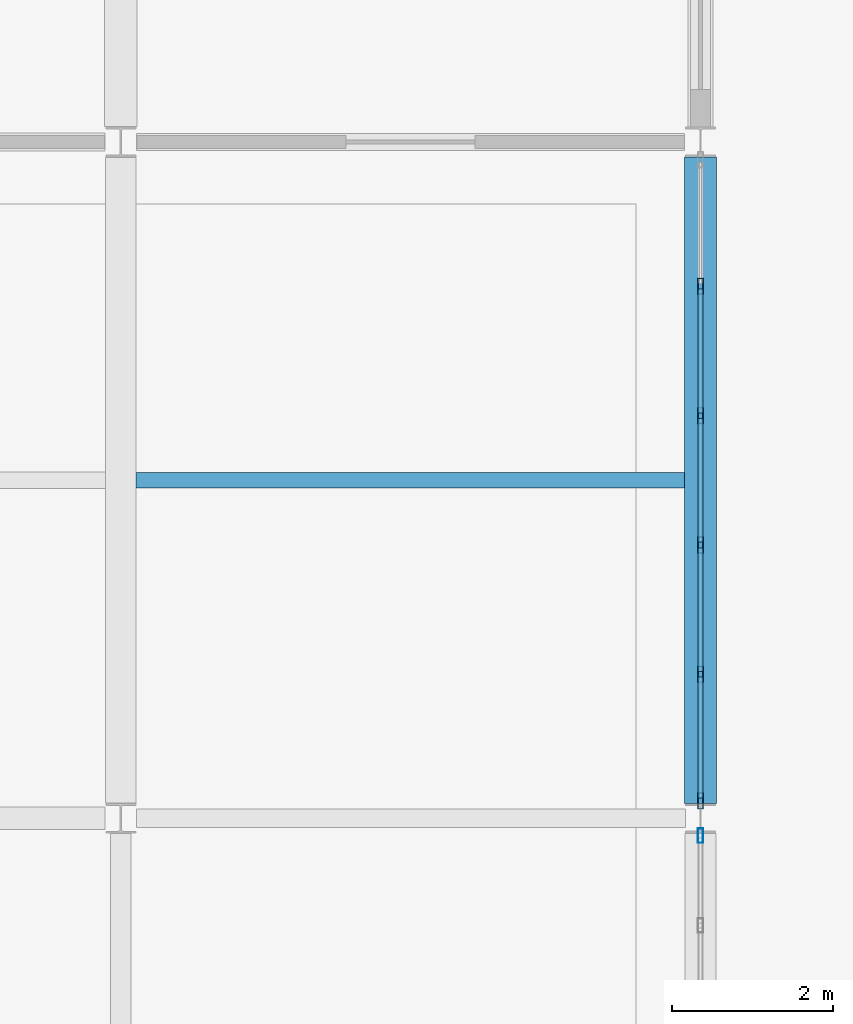
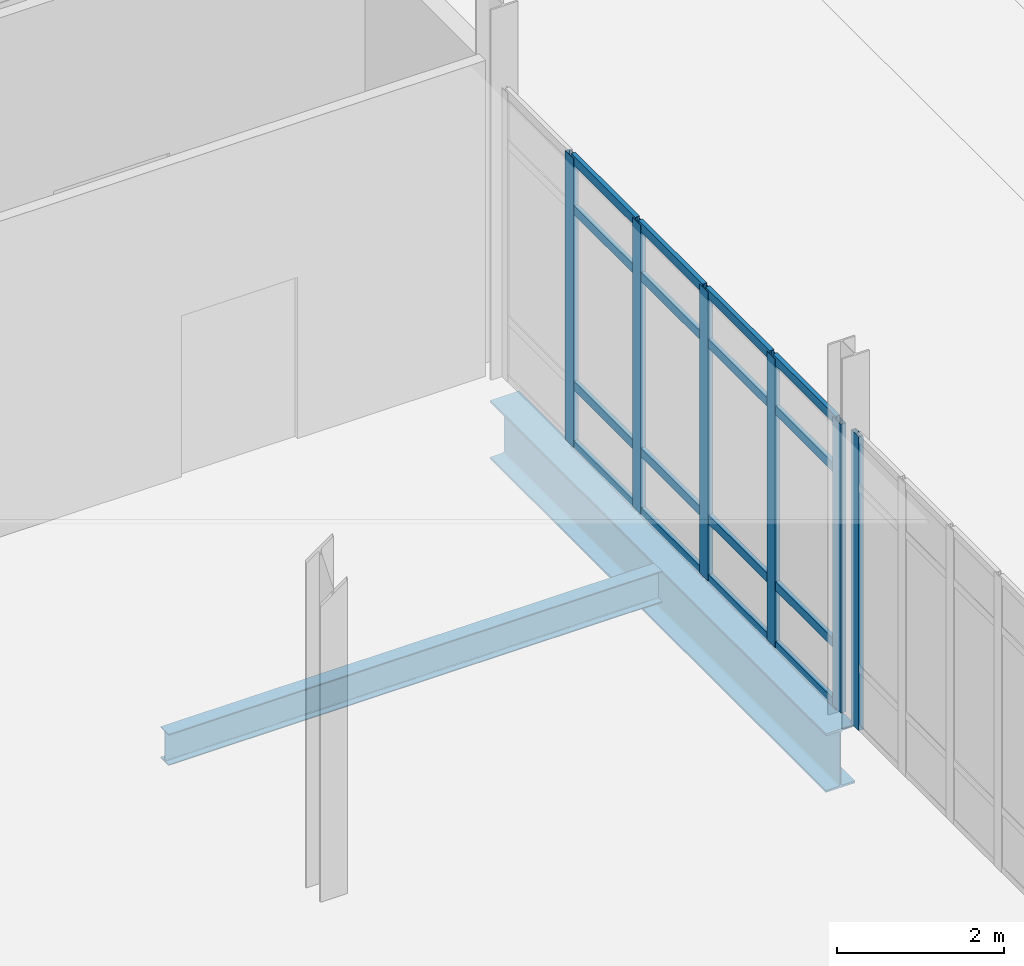
# One storey, part 124 of 229: 22 members, 2 beams, 2 elements without a shape of their own.
"""IFC4 building model written with IfcOpenShell, lengths in metres."""

from ifc_helpers import new_model, si_unit, direction, frame, origin, origin_2d, place, context, subcontext, project, spatial, hollow_rectangle, i_section, extrude, material, layer, layer_set, material_profile, profile_set, type_object, element, aggregate, save


model = new_model("IFC4")

# Units and contexts
model_context = context("Model", 3, precision=1e-05, world=origin(), true_north=direction((0.0, 1.0)))
body_context = subcontext(model_context, "Body", "Model", "MODEL_VIEW")
ifc_project = project(units=[si_unit("LENGTHUNIT", "METRE"), si_unit("AREAUNIT", "SQUARE_METRE"), si_unit("VOLUMEUNIT", "CUBIC_METRE"), si_unit("PLANEANGLEUNIT", "RADIAN"), si_unit("MASSUNIT", "GRAM", prefix="KILO")], contexts=[model_context])

# Site, building, storey
site_placement = place(None, origin())
site = spatial("IfcSite", under=ifc_project, at=site_placement, CompositionType="ELEMENT")
building_placement = place(site_placement, origin())
building = spatial("IfcBuilding", under=site, at=building_placement, Name="Calvrana Isthmian Art Gallery", CompositionType="ELEMENT")
storey_placement = place(building_placement, origin())
storey = spatial("IfcBuildingStorey", under=building, at=storey_placement, Name="L00", CompositionType="ELEMENT", Elevation=0.0)

# Beams
ifc_material_1 = material(Name="Steel ASTM A992 Gr 50", Category="steel")
ifc_material_profile_1 = material_profile(ifc_material_1, i_section(OverallWidth=0.40087890625, OverallDepth=0.85595703125, WebThickness=0.018310546875, FlangeThickness=0.029296875, FilletRadius=0.02587890625, at=origin_2d()), Name="W33X201")
ifc_profile_set_1 = profile_set([ifc_material_profile_1], Name="Steel ASTM A992 Gr 50")
beam_type_1 = type_object("IfcBeamType", Name="BM-G-W33X201", PredefinedType="BEAM", material=ifc_profile_set_1)
beam_1_placement = place(storey_placement, frame((156.0, 30.1865234375, -0.712890625), z_axis=(0.0, 1.0, 0.0), x_axis=(-1.0, 0.0, 0.0)))
element("IfcBeam", 1, at=beam_1_placement, inside=storey, type_object=beam_type_1, Name="Girder Y L00 21/E-F", PredefinedType="BEAM", context=body_context, shape_type="SweptSolid", body=[
    extrude(i_section(OverallWidth=0.40087890625, OverallDepth=0.85595703125, WebThickness=0.018310546875, FlangeThickness=0.029296875, FilletRadius=0.02587890625, at=origin_2d()), origin(), (0.0, 0.0, 1.0), 8.025390625),
])
ifc_material_profile_2 = material_profile(ifc_material_1, i_section(OverallWidth=0.19091796875, OverallDepth=0.45703125, WebThickness=0.009033203125, FlangeThickness=0.014404296875, FilletRadius=0.02001953125, at=origin_2d()), Name="W18X50")
ifc_profile_set_2 = profile_set([ifc_material_profile_2], Name="Steel ASTM A992 Gr 50")
beam_type_2 = type_object("IfcBeamType", Name="BM-J-W18X50", PredefinedType="JOIST", material=ifc_profile_set_2)
beam_2_placement = place(storey_placement, frame((148.990478515625, 34.199951171875, -0.513427734375), z_axis=(1.0, 0.0, 0.0), x_axis=(0.0, 1.0, 0.0)))
element("IfcBeam", 2, at=beam_2_placement, inside=storey, type_object=beam_type_2, Name="Composite joist L00 bay 19-04", PredefinedType="JOIST", context=body_context, shape_type="SweptSolid", body=[
    extrude(i_section(OverallWidth=0.19091796875, OverallDepth=0.45703125, WebThickness=0.009033203125, FlangeThickness=0.014404296875, FilletRadius=0.02001953125, at=origin_2d()), origin(), (0.0, 0.0, 1.0), 6.80908203125),
])

# Curtain wall, member
ifc_material_2 = material(Name="Anodized bronze aluminium 6063-T6", Category="aluminium")
ifc_layer_1 = layer(ifc_material_2, 0.179931640625, Name="Anodized bronze aluminium 6063-T6")
ifc_layer_set_1 = layer_set([ifc_layer_1], Name="Anodized bronze aluminium 6063-T6")
curtain_wall_type_1 = type_object("IfcCurtainWallType", Name="CW-STICK-080X43", PredefinedType="NOTDEFINED", material=ifc_layer_set_1)
curtain_wall_1_placement = place(storey_placement, origin())
curtain_wall_1 = element("IfcCurtainWall", 3, at=curtain_wall_1_placement, inside=storey, type_object=curtain_wall_type_1, Name="Curtain wall CW-080", PredefinedType="NOTDEFINED")
ifc_material_profile_3 = material_profile(ifc_material_2, hollow_rectangle(XDim=0.06494140625, YDim=0.179931640625, WallThickness=0.00439453125, at=origin_2d()), Name="CWM65X180")
ifc_profile_set_3 = profile_set([ifc_material_profile_3], Name="Anodized bronze aluminium 6063-T6")
member_type_1 = type_object("IfcMemberType", Name="CWM-CWM65X180", PredefinedType="MULLION", material=ifc_profile_set_3)
member_1_placement = place(storey_placement, frame((156.0, 29.785888671875, 0.0), z_axis=(0.0, 0.0, 1.0), x_axis=(1.0, 0.0, 0.0)))
member_1 = element("IfcMember", 4, at=member_1_placement, type_object=member_type_1, Name="CW-080 mullion 1", PredefinedType="MULLION", context=body_context, shape_type="SweptSolid", body=[
    extrude(hollow_rectangle(XDim=0.06494140625, YDim=0.179931640625, WallThickness=0.00439453125, at=origin_2d()), origin(), (0.0, 0.0, 1.0), 4.283935546875),
])
aggregate(curtain_wall_1, [member_1])

# Curtain wall, members
ifc_layer_2 = layer(ifc_material_2, 0.179931640625, Name="Anodized bronze aluminium 6063-T6")
ifc_layer_set_2 = layer_set([ifc_layer_2], Name="Anodized bronze aluminium 6063-T6")
curtain_wall_type_2 = type_object("IfcCurtainWallType", Name="CW-UNIT-080X42", PredefinedType="USERDEFINED", material=ifc_layer_set_2)
curtain_wall_2_placement = place(storey_placement, origin())
curtain_wall_2 = element("IfcCurtainWall", 5, at=curtain_wall_2_placement, inside=storey, type_object=curtain_wall_type_2, Name="Curtain wall CW-081", ObjectType="UNITISED CURTAIN WALL", PredefinedType="USERDEFINED")
ifc_material_profile_4 = material_profile(ifc_material_2, hollow_rectangle(XDim=0.070068359375, YDim=0.199951171875, WallThickness=0.0048828125, at=origin_2d()), Name="CWM70X200")
ifc_profile_set_4 = profile_set([ifc_material_profile_4], Name="Anodized bronze aluminium 6063-T6")
member_type_2 = type_object("IfcMemberType", Name="CWM-CWM70X200", PredefinedType="MULLION", material=ifc_profile_set_4)
member_2_placement = place(storey_placement, frame((156.0, 36.609130859375, 0.0), z_axis=(0.0, 0.0, 1.0), x_axis=(1.0, 0.0, 0.0)))
member_2 = element("IfcMember", 6, at=member_2_placement, type_object=member_type_2, Name="CW-081 mullion 2", PredefinedType="MULLION", context=body_context, shape_type="SweptSolid", body=[
    extrude(hollow_rectangle(XDim=0.070068359375, YDim=0.199951171875, WallThickness=0.0048828125, at=origin_2d()), origin(), (0.0, 0.0, 1.0), 4.212890625),
])
member_3_placement = place(storey_placement, frame((156.0, 35.002197265625, 0.0), z_axis=(0.0, 0.0, 1.0), x_axis=(1.0, 0.0, 0.0)))
member_3 = element("IfcMember", 7, at=member_3_placement, type_object=member_type_2, Name="CW-081 mullion 3", PredefinedType="MULLION", context=body_context, shape_type="SweptSolid", body=[
    extrude(hollow_rectangle(XDim=0.070068359375, YDim=0.199951171875, WallThickness=0.0048828125, at=origin_2d()), origin(), (0.0, 0.0, 1.0), 4.212890625),
])
member_4_placement = place(storey_placement, frame((156.0, 33.395263671875, 0.0), z_axis=(0.0, 0.0, 1.0), x_axis=(1.0, 0.0, 0.0)))
member_4 = element("IfcMember", 8, at=member_4_placement, type_object=member_type_2, Name="CW-081 mullion 4", PredefinedType="MULLION", context=body_context, shape_type="SweptSolid", body=[
    extrude(hollow_rectangle(XDim=0.070068359375, YDim=0.199951171875, WallThickness=0.0048828125, at=origin_2d()), origin(), (0.0, 0.0, 1.0), 4.212890625),
])
member_5_placement = place(storey_placement, frame((156.0, 31.788330078125, 0.0), z_axis=(0.0, 0.0, 1.0), x_axis=(1.0, 0.0, 0.0)))
member_5 = element("IfcMember", 9, at=member_5_placement, type_object=member_type_2, Name="CW-081 mullion 5", PredefinedType="MULLION", context=body_context, shape_type="SweptSolid", body=[
    extrude(hollow_rectangle(XDim=0.070068359375, YDim=0.199951171875, WallThickness=0.0048828125, at=origin_2d()), origin(), (0.0, 0.0, 1.0), 4.212890625),
])
member_6_placement = place(storey_placement, frame((156.0, 30.216552734375, 0.0), z_axis=(0.0, 0.0, 1.0), x_axis=(1.0, 0.0, 0.0)))
member_6 = element("IfcMember", 10, at=member_6_placement, type_object=member_type_2, Name="CW-081 mullion 6", PredefinedType="MULLION", context=body_context, shape_type="SweptSolid", body=[
    extrude(hollow_rectangle(XDim=0.070068359375, YDim=0.199951171875, WallThickness=0.0048828125, at=origin_2d()), origin(), (0.0, 0.0, 1.0), 4.212890625),
])
ifc_material_profile_5 = material_profile(ifc_material_2, hollow_rectangle(XDim=0.06005859375, YDim=0.1298828125, WallThickness=0.00390625, at=origin_2d()), Name="CWT60X130")
ifc_profile_set_5 = profile_set([ifc_material_profile_5], Name="Anodized bronze aluminium 6063-T6")
member_type_3 = type_object("IfcMemberType", Name="CWT-CWT60X130", PredefinedType="USERDEFINED", material=ifc_profile_set_5)
member_7_placement = place(storey_placement, frame((156.0, 36.57421875, 0.030029296875), z_axis=(0.0, -1.0, 0.0), x_axis=(1.0, 0.0, 0.0)))
member_7 = element("IfcMember", 11, at=member_7_placement, type_object=member_type_3, Name="CW-081 transom 2.1", ObjectType="TRANSOM", PredefinedType="USERDEFINED", context=body_context, shape_type="SweptSolid", body=[
    extrude(hollow_rectangle(XDim=0.06005859375, YDim=0.1298828125, WallThickness=0.00390625, at=origin_2d()), origin(), (0.0, 0.0, 1.0), 1.537109375),
])
member_8_placement = place(storey_placement, frame((156.0, 36.57421875, 0.89990234375), z_axis=(0.0, -1.0, 0.0), x_axis=(1.0, 0.0, 0.0)))
member_8 = element("IfcMember", 12, at=member_8_placement, type_object=member_type_3, Name="CW-081 transom 2.2", ObjectType="TRANSOM", PredefinedType="USERDEFINED", context=body_context, shape_type="SweptSolid", body=[
    extrude(hollow_rectangle(XDim=0.06005859375, YDim=0.1298828125, WallThickness=0.00390625, at=origin_2d()), origin(), (0.0, 0.0, 1.0), 1.537109375),
])
member_9_placement = place(storey_placement, frame((156.0, 36.57421875, 3.462890625), z_axis=(0.0, -1.0, 0.0), x_axis=(1.0, 0.0, 0.0)))
member_9 = element("IfcMember", 13, at=member_9_placement, type_object=member_type_3, Name="CW-081 transom 2.3", ObjectType="TRANSOM", PredefinedType="USERDEFINED", context=body_context, shape_type="SweptSolid", body=[
    extrude(hollow_rectangle(XDim=0.06005859375, YDim=0.1298828125, WallThickness=0.00390625, at=origin_2d()), origin(), (0.0, 0.0, 1.0), 1.537109375),
])
member_10_placement = place(storey_placement, frame((156.0, 36.57421875, 4.18310546875), z_axis=(0.0, -1.0, 0.0), x_axis=(1.0, 0.0, 0.0)))
member_10 = element("IfcMember", 14, at=member_10_placement, type_object=member_type_3, Name="CW-081 transom 2.4", ObjectType="TRANSOM", PredefinedType="USERDEFINED", context=body_context, shape_type="SweptSolid", body=[
    extrude(hollow_rectangle(XDim=0.06005859375, YDim=0.1298828125, WallThickness=0.00390625, at=origin_2d()), origin(), (0.0, 0.0, 1.0), 1.537109375),
])
member_11_placement = place(storey_placement, frame((156.0, 34.96728515625, 0.030029296875), z_axis=(0.0, -1.0, 0.0), x_axis=(1.0, 0.0, 0.0)))
member_11 = element("IfcMember", 15, at=member_11_placement, type_object=member_type_3, Name="CW-081 transom 3.1", ObjectType="TRANSOM", PredefinedType="USERDEFINED", context=body_context, shape_type="SweptSolid", body=[
    extrude(hollow_rectangle(XDim=0.06005859375, YDim=0.1298828125, WallThickness=0.00390625, at=origin_2d()), origin(), (0.0, 0.0, 1.0), 1.536865234375),
])
member_12_placement = place(storey_placement, frame((156.0, 34.96728515625, 0.89990234375), z_axis=(0.0, -1.0, 0.0), x_axis=(1.0, 0.0, 0.0)))
member_12 = element("IfcMember", 16, at=member_12_placement, type_object=member_type_3, Name="CW-081 transom 3.2", ObjectType="TRANSOM", PredefinedType="USERDEFINED", context=body_context, shape_type="SweptSolid", body=[
    extrude(hollow_rectangle(XDim=0.06005859375, YDim=0.1298828125, WallThickness=0.00390625, at=origin_2d()), origin(), (0.0, 0.0, 1.0), 1.536865234375),
])
member_13_placement = place(storey_placement, frame((156.0, 34.96728515625, 3.462890625), z_axis=(0.0, -1.0, 0.0), x_axis=(1.0, 0.0, 0.0)))
member_13 = element("IfcMember", 17, at=member_13_placement, type_object=member_type_3, Name="CW-081 transom 3.3", ObjectType="TRANSOM", PredefinedType="USERDEFINED", context=body_context, shape_type="SweptSolid", body=[
    extrude(hollow_rectangle(XDim=0.06005859375, YDim=0.1298828125, WallThickness=0.00390625, at=origin_2d()), origin(), (0.0, 0.0, 1.0), 1.536865234375),
])
member_14_placement = place(storey_placement, frame((156.0, 34.96728515625, 4.18310546875), z_axis=(0.0, -1.0, 0.0), x_axis=(1.0, 0.0, 0.0)))
member_14 = element("IfcMember", 18, at=member_14_placement, type_object=member_type_3, Name="CW-081 transom 3.4", ObjectType="TRANSOM", PredefinedType="USERDEFINED", context=body_context, shape_type="SweptSolid", body=[
    extrude(hollow_rectangle(XDim=0.06005859375, YDim=0.1298828125, WallThickness=0.00390625, at=origin_2d()), origin(), (0.0, 0.0, 1.0), 1.536865234375),
])
member_15_placement = place(storey_placement, frame((156.0, 33.3603515625, 0.030029296875), z_axis=(0.0, -1.0, 0.0), x_axis=(1.0, 0.0, 0.0)))
member_15 = element("IfcMember", 19, at=member_15_placement, type_object=member_type_3, Name="CW-081 transom 4.1", ObjectType="TRANSOM", PredefinedType="USERDEFINED", context=body_context, shape_type="SweptSolid", body=[
    extrude(hollow_rectangle(XDim=0.06005859375, YDim=0.1298828125, WallThickness=0.00390625, at=origin_2d()), origin(), (0.0, 0.0, 1.0), 1.536865234375),
])
member_16_placement = place(storey_placement, frame((156.0, 33.3603515625, 0.89990234375), z_axis=(0.0, -1.0, 0.0), x_axis=(1.0, 0.0, 0.0)))
member_16 = element("IfcMember", 20, at=member_16_placement, type_object=member_type_3, Name="CW-081 transom 4.2", ObjectType="TRANSOM", PredefinedType="USERDEFINED", context=body_context, shape_type="SweptSolid", body=[
    extrude(hollow_rectangle(XDim=0.06005859375, YDim=0.1298828125, WallThickness=0.00390625, at=origin_2d()), origin(), (0.0, 0.0, 1.0), 1.536865234375),
])
member_17_placement = place(storey_placement, frame((156.0, 33.3603515625, 3.462890625), z_axis=(0.0, -1.0, 0.0), x_axis=(1.0, 0.0, 0.0)))
member_17 = element("IfcMember", 21, at=member_17_placement, type_object=member_type_3, Name="CW-081 transom 4.3", ObjectType="TRANSOM", PredefinedType="USERDEFINED", context=body_context, shape_type="SweptSolid", body=[
    extrude(hollow_rectangle(XDim=0.06005859375, YDim=0.1298828125, WallThickness=0.00390625, at=origin_2d()), origin(), (0.0, 0.0, 1.0), 1.536865234375),
])
member_18_placement = place(storey_placement, frame((156.0, 33.3603515625, 4.18310546875), z_axis=(0.0, -1.0, 0.0), x_axis=(1.0, 0.0, 0.0)))
member_18 = element("IfcMember", 22, at=member_18_placement, type_object=member_type_3, Name="CW-081 transom 4.4", ObjectType="TRANSOM", PredefinedType="USERDEFINED", context=body_context, shape_type="SweptSolid", body=[
    extrude(hollow_rectangle(XDim=0.06005859375, YDim=0.1298828125, WallThickness=0.00390625, at=origin_2d()), origin(), (0.0, 0.0, 1.0), 1.536865234375),
])
member_19_placement = place(storey_placement, frame((156.0, 31.75341796875, 0.030029296875), z_axis=(0.0, -1.0, 0.0), x_axis=(1.0, 0.0, 0.0)))
member_19 = element("IfcMember", 23, at=member_19_placement, type_object=member_type_3, Name="CW-081 transom 5.1", ObjectType="TRANSOM", PredefinedType="USERDEFINED", context=body_context, shape_type="SweptSolid", body=[
    extrude(hollow_rectangle(XDim=0.06005859375, YDim=0.1298828125, WallThickness=0.00390625, at=origin_2d()), origin(), (0.0, 0.0, 1.0), 1.501953125),
])
member_20_placement = place(storey_placement, frame((156.0, 31.75341796875, 0.89990234375), z_axis=(0.0, -1.0, 0.0), x_axis=(1.0, 0.0, 0.0)))
member_20 = element("IfcMember", 24, at=member_20_placement, type_object=member_type_3, Name="CW-081 transom 5.2", ObjectType="TRANSOM", PredefinedType="USERDEFINED", context=body_context, shape_type="SweptSolid", body=[
    extrude(hollow_rectangle(XDim=0.06005859375, YDim=0.1298828125, WallThickness=0.00390625, at=origin_2d()), origin(), (0.0, 0.0, 1.0), 1.501953125),
])
member_21_placement = place(storey_placement, frame((156.0, 31.75341796875, 3.462890625), z_axis=(0.0, -1.0, 0.0), x_axis=(1.0, 0.0, 0.0)))
member_21 = element("IfcMember", 25, at=member_21_placement, type_object=member_type_3, Name="CW-081 transom 5.3", ObjectType="TRANSOM", PredefinedType="USERDEFINED", context=body_context, shape_type="SweptSolid", body=[
    extrude(hollow_rectangle(XDim=0.06005859375, YDim=0.1298828125, WallThickness=0.00390625, at=origin_2d()), origin(), (0.0, 0.0, 1.0), 1.501953125),
])
member_22_placement = place(storey_placement, frame((156.0, 31.75341796875, 4.18310546875), z_axis=(0.0, -1.0, 0.0), x_axis=(1.0, 0.0, 0.0)))
member_22 = element("IfcMember", 26, at=member_22_placement, type_object=member_type_3, Name="CW-081 transom 5.4", ObjectType="TRANSOM", PredefinedType="USERDEFINED", context=body_context, shape_type="SweptSolid", body=[
    extrude(hollow_rectangle(XDim=0.06005859375, YDim=0.1298828125, WallThickness=0.00390625, at=origin_2d()), origin(), (0.0, 0.0, 1.0), 1.501953125),
])
aggregate(curtain_wall_2, [member_2, member_3, member_4, member_5, member_6, member_7, member_8, member_9, member_10, member_11, member_12, member_13, member_14, member_15, member_16, member_17, member_18, member_19, member_20, member_21, member_22])

save(model, "model.ifc")
